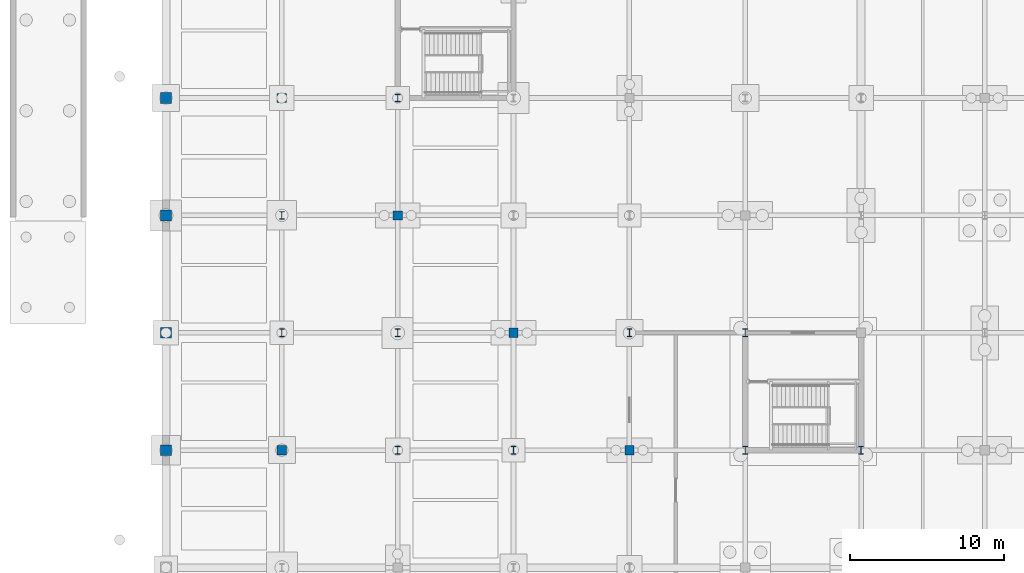
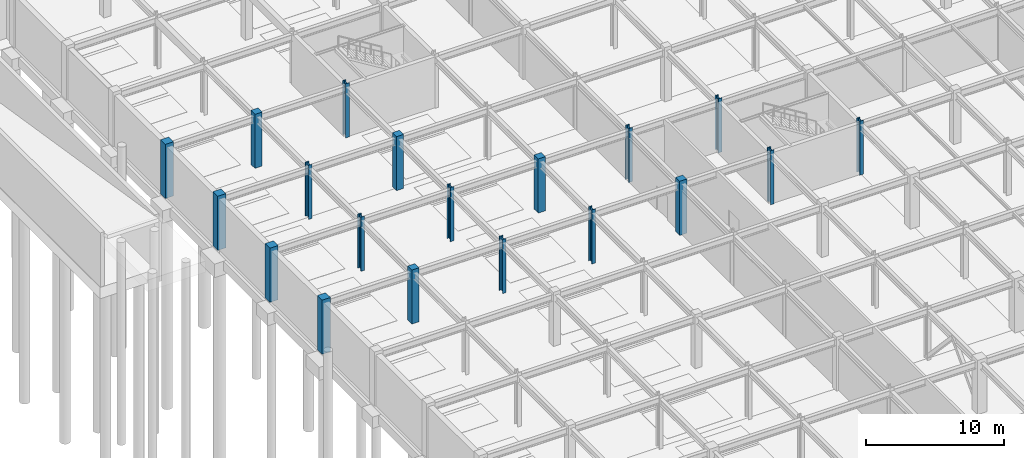
# One storey, part 17 of 53: 19 columns.
"""IFC4 building model written with IfcOpenShell, lengths in metres."""

from ifc_helpers import new_model, si_unit, direction, frame, origin, origin_2d, place, context, subcontext, project, spatial, rectangle, i_section, extrude, material, material_profile, profile_set, type_object, element, save


model = new_model("IFC4")

# Units and contexts
model_context = context("Model", 3, precision=1e-05, world=origin(), true_north=direction((0.0, 1.0)))
body_context = subcontext(model_context, "Body", "Model", "MODEL_VIEW")
ifc_project = project(units=[si_unit("LENGTHUNIT", "METRE"), si_unit("AREAUNIT", "SQUARE_METRE"), si_unit("VOLUMEUNIT", "CUBIC_METRE"), si_unit("PLANEANGLEUNIT", "RADIAN"), si_unit("MASSUNIT", "GRAM", prefix="KILO")], contexts=[model_context])

# Site, building, storey
site_placement = place(None, origin())
site = spatial("IfcSite", under=ifc_project, at=site_placement, CompositionType="ELEMENT")
building_placement = place(site_placement, origin())
building = spatial("IfcBuilding", under=site, at=building_placement, Name="Shalkamar Park Central Library", CompositionType="ELEMENT")
storey_placement = place(building_placement, frame((0.0, 0.0, -4.800048828125)))
storey = spatial("IfcBuildingStorey", under=building, at=storey_placement, Name="B1", CompositionType="ELEMENT", Elevation=-4.800048828125)

# Columns
ifc_material_1 = material(Name="Concrete C40/50", Category="concrete")
ifc_material_profile_1 = material_profile(ifc_material_1, rectangle(XDim=0.60009765625, YDim=0.60009765625, at=origin_2d()), Name="RC 600x600")
ifc_profile_set_1 = profile_set([ifc_material_profile_1], Name="Concrete C40/50")
column_type_1 = type_object("IfcColumnType", Name="Column Concrete RC600", PredefinedType="COLUMN", material=ifc_profile_set_1)
for number, where, z_axis, x_axis, name in (
    (1, (127.5, 300.800048828125, 0.0), (0.0, 0.0, 1.0), (1.0, 0.0, 0.0), "Column 02/J (B1)"),
    (2, (127.5, 323.60009765625, 0.0), (0.0, 0.0, 1.0), (1.0, 0.0, 0.0), "Column 02/M (B1)"),
    (3, (135.0, 316.0, 0.0), (0.0, 0.0, 1.0), (1.0, 0.0, 0.0), "Column 03/L (B1)"),
    (4, (142.5, 308.39990234375, 0.0), (0.0, 0.0, 1.0), (1.0, 0.0, 0.0), "Column 04/K (B1)"),
    (5, (150.0, 300.800048828125, 0.0), (0.0, 0.0, 1.0), (1.0, 0.0, 0.0), "Column 05/J (B1)"),
):
    element("IfcColumn", number, at=place(storey_placement, frame(where, z_axis=z_axis, x_axis=x_axis)), inside=storey, type_object=column_type_1, Name=name, PredefinedType="COLUMN", context=body_context, shape_type="SweptSolid", body=[
        extrude(rectangle(XDim=0.60009765625, YDim=0.60009765625, at=origin_2d()), origin(), (0.0, 0.0, 1.0), 4.800048828125),
    ])
ifc_material_profile_2 = material_profile(ifc_material_1, rectangle(XDim=0.699951171875, YDim=0.699951171875, at=origin_2d()), Name="RC 700x700")
ifc_profile_set_2 = profile_set([ifc_material_profile_2], Name="Concrete C40/50")
column_type_2 = type_object("IfcColumnType", Name="Column Concrete RC700", PredefinedType="COLUMN", material=ifc_profile_set_2)
for number, where, z_axis, x_axis, name in (
    (6, (120.0, 300.800048828125, 0.0), (0.0, 0.0, 1.0), (1.0, 0.0, 0.0), "Column 01/J (B1)"),
    (7, (120.0, 308.39990234375, 0.0), (0.0, 0.0, 1.0), (1.0, 0.0, 0.0), "Column 01/K (B1)"),
    (8, (120.0, 316.0, 0.0), (0.0, 0.0, 1.0), (1.0, 0.0, 0.0), "Column 01/L (B1)"),
    (9, (120.0, 323.60009765625, 0.0), (0.0, 0.0, 1.0), (1.0, 0.0, 0.0), "Column 01/M (B1)"),
):
    element("IfcColumn", number, at=place(storey_placement, frame(where, z_axis=z_axis, x_axis=x_axis)), inside=storey, type_object=column_type_2, Name=name, PredefinedType="COLUMN", context=body_context, shape_type="SweptSolid", body=[
        extrude(rectangle(XDim=0.699951171875, YDim=0.699951171875, at=origin_2d()), origin(), (0.0, 0.0, 1.0), 4.800048828125),
    ])
ifc_material_2 = material(Name="Steel S355", Category="steel")
ifc_material_profile_3 = material_profile(ifc_material_2, i_section(OverallWidth=0.300048828125, OverallDepth=0.5, WebThickness=0.014404296875, FlangeThickness=0.028076171875, FilletRadius=0.027099609375, at=origin_2d()), Name="HEB 500")
ifc_profile_set_3 = profile_set([ifc_material_profile_3], Name="Steel S355")
column_type_3 = type_object("IfcColumnType", Name="Column Steel HEB500", PredefinedType="COLUMN", material=ifc_profile_set_3)
for number, where, z_axis, x_axis, name in (
    (10, (127.5, 308.39990234375, 0.0), (0.0, 0.0, 1.0), (1.0, 0.0, 0.0), "Column 02/K (B1)"),
    (11, (127.5, 316.0, 0.0), (0.0, 0.0, 1.0), (1.0, 0.0, 0.0), "Column 02/L (B1)"),
    (12, (135.0, 300.800048828125, 0.0), (0.0, 0.0, 1.0), (1.0, 0.0, 0.0), "Column 03/J (B1)"),
    (13, (135.0, 308.39990234375, 0.0), (0.0, 0.0, 1.0), (1.0, 0.0, 0.0), "Column 03/K (B1)"),
    (14, (135.0, 323.60009765625, 0.0), (0.0, 0.0, 1.0), (1.0, 0.0, 0.0), "Column 03/M (B1)"),
    (15, (142.5, 300.800048828125, 0.0), (0.0, 0.0, 1.0), (1.0, 0.0, 0.0), "Column 04/J (B1)"),
    (16, (150.0, 308.39990234375, 0.0), (0.0, 0.0, 1.0), (1.0, 0.0, 0.0), "Column 05/K (B1)"),
    (17, (157.5, 300.800048828125, 0.0), (0.0, 0.0, 1.0), (1.0, 0.0, 0.0), "Column 06/J (B1)"),
    (18, (157.5, 308.39990234375, 0.0), (0.0, 0.0, 1.0), (1.0, 0.0, 0.0), "Column 06/K (B1)"),
    (19, (165.0, 300.800048828125, 0.0), (0.0, 0.0, 1.0), (1.0, 0.0, 0.0), "Column 07/J (B1)"),
):
    element("IfcColumn", number, at=place(storey_placement, frame(where, z_axis=z_axis, x_axis=x_axis)), inside=storey, type_object=column_type_3, Name=name, PredefinedType="COLUMN", context=body_context, shape_type="SweptSolid", body=[
        extrude(i_section(OverallWidth=0.300048828125, OverallDepth=0.5, WebThickness=0.014404296875, FlangeThickness=0.028076171875, FilletRadius=0.027099609375, at=origin_2d()), origin(), (0.0, 0.0, 1.0), 4.800048828125),
    ])

save(model, "model.ifc")
